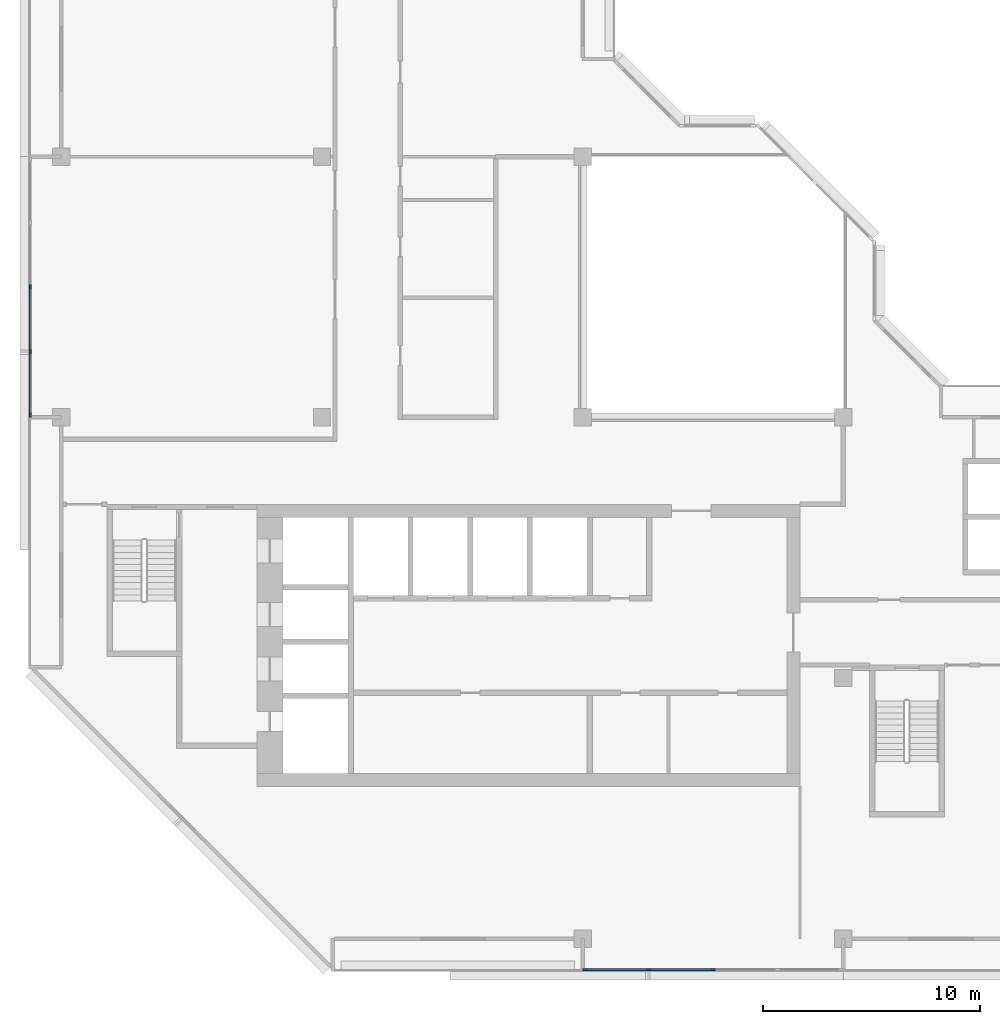
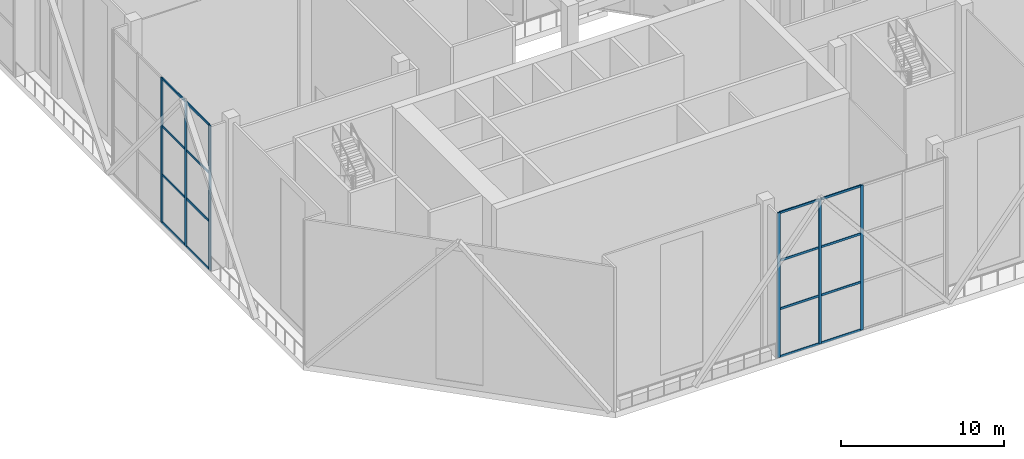
# One storey, part 2 of 16: 22 members, 2 elements without a shape of their own.
"""IFC4 building model written with IfcOpenShell, lengths in metres."""

from ifc_helpers import new_model, si_unit, direction, frame, origin, origin_2d, place, context, subcontext, project, spatial, rectangle, extrude, material, layer, layer_set, material_profile, profile_set, type_object, element, aggregate, save


model = new_model("IFC4")

# Units and contexts
model_context = context("Model", 3, precision=1e-05, world=origin(), true_north=direction((0.0, 1.0)))
body_context = subcontext(model_context, "Body", "Model", "MODEL_VIEW")
ifc_project = project(units=[si_unit("LENGTHUNIT", "METRE"), si_unit("AREAUNIT", "SQUARE_METRE"), si_unit("VOLUMEUNIT", "CUBIC_METRE"), si_unit("PLANEANGLEUNIT", "RADIAN"), si_unit("MASSUNIT", "GRAM", prefix="KILO")], contexts=[model_context])

# Site, building, storey
site_placement = place(None, origin())
site = spatial("IfcSite", under=ifc_project, at=site_placement, CompositionType="ELEMENT")
building_placement = place(site_placement, origin())
building = spatial("IfcBuilding", under=site, at=building_placement, Name="Chenar Terraces", CompositionType="ELEMENT")
storey_placement = place(building_placement, frame((0.0, 0.0, 327.64990234375)))
storey = spatial("IfcBuildingStorey", under=building, at=storey_placement, Name="L77", CompositionType="ELEMENT", Elevation=327.64990234375)

# Curtain wall, members
ifc_material_1 = material(Name="Aluminium framed glazing", Category="aluminium")
ifc_layer = layer(ifc_material_1, 0.14990234375)
ifc_layer_set = layer_set([ifc_layer], Name="Aluminium framed glazing")
curtain_wall_type = type_object("IfcCurtainWallType", Name="Sky garden curtain wall", PredefinedType="NOTDEFINED", material=ifc_layer_set)
placement = place(storey_placement, origin())
curtain_wall_1 = element("IfcCurtainWall", 1, at=placement, inside=storey, type_object=curtain_wall_type, Name="Sky garden curtain wall", PredefinedType="NOTDEFINED")
ifc_material_2 = material(Name="Aluminium", Category="aluminium")
ifc_material_profile_1 = material_profile(ifc_material_2, rectangle(XDim=0.080078125, YDim=0.199951171875, at=origin_2d()), Name="Sky garden mullion 80 x 200")
ifc_profile_set_1 = profile_set([ifc_material_profile_1], Name="Aluminium")
member_type_1 = type_object("IfcMemberType", Name="Sky garden mullion 80 x 200", PredefinedType="MULLION", material=ifc_profile_set_1)
member_1_placement = place(storey_placement, frame((-1.425048828125, 30.0, 0.0), z_axis=(0.0, 0.0, 1.0), x_axis=(1.0, 0.0, 0.0)))
member_1 = element("IfcMember", 2, at=member_1_placement, type_object=member_type_1, Name="CW3-05 mullion 3", PredefinedType="MULLION", context=body_context, shape_type="SweptSolid", body=[
    extrude(rectangle(XDim=0.080078125, YDim=0.199951171875, at=origin_2d()), origin(), (0.0, 0.0, 1.0), 10.85009765625),
])
member_2_placement = place(storey_placement, frame((-1.425048828125, 27.03759765625, 0.0), z_axis=(0.0, 0.0, 1.0), x_axis=(1.0, 0.0, 0.0)))
member_2 = element("IfcMember", 3, at=member_2_placement, type_object=member_type_1, Name="CW3-05 mullion 4", PredefinedType="MULLION", context=body_context, shape_type="SweptSolid", body=[
    extrude(rectangle(XDim=0.080078125, YDim=0.199951171875, at=origin_2d()), origin(), (0.0, 0.0, 1.0), 10.85009765625),
])
member_3_placement = place(storey_placement, frame((-1.425048828125, 24.114990234375, 0.0), z_axis=(0.0, 0.0, 1.0), x_axis=(1.0, 0.0, 0.0)))
member_3 = element("IfcMember", 4, at=member_3_placement, type_object=member_type_1, Name="CW3-05 mullion 5", PredefinedType="MULLION", context=body_context, shape_type="SweptSolid", body=[
    extrude(rectangle(XDim=0.080078125, YDim=0.199951171875, at=origin_2d()), origin(), (0.0, 0.0, 1.0), 10.85009765625),
])

curtain_wall_2 = element("IfcCurtainWall", 5, at=placement, inside=storey, type_object=curtain_wall_type, Name="Sky garden curtain wall", PredefinedType="NOTDEFINED")
member_4_placement = place(storey_placement, frame((24.114990234375, -1.425048828125, 0.0), z_axis=(0.0, 0.0, 1.0), x_axis=(0.0, 1.0, 0.0)))
member_4 = element("IfcMember", 6, at=member_4_placement, type_object=member_type_1, Name="CW3-06 mullion 1", PredefinedType="MULLION", context=body_context, shape_type="SweptSolid", body=[
    extrude(rectangle(XDim=0.080078125, YDim=0.199951171875, at=origin_2d()), origin(), (0.0, 0.0, 1.0), 10.85009765625),
])
member_5_placement = place(storey_placement, frame((27.03759765625, -1.425048828125, 0.0), z_axis=(0.0, 0.0, 1.0), x_axis=(0.0, 1.0, 0.0)))
member_5 = element("IfcMember", 7, at=member_5_placement, type_object=member_type_1, Name="CW3-06 mullion 2", PredefinedType="MULLION", context=body_context, shape_type="SweptSolid", body=[
    extrude(rectangle(XDim=0.080078125, YDim=0.199951171875, at=origin_2d()), origin(), (0.0, 0.0, 1.0), 10.85009765625),
])
member_6_placement = place(storey_placement, frame((30.0, -1.425048828125, 0.0), z_axis=(0.0, 0.0, 1.0), x_axis=(0.0, 1.0, 0.0)))
member_6 = element("IfcMember", 8, at=member_6_placement, type_object=member_type_1, Name="CW3-06 mullion 3", PredefinedType="MULLION", context=body_context, shape_type="SweptSolid", body=[
    extrude(rectangle(XDim=0.080078125, YDim=0.199951171875, at=origin_2d()), origin(), (0.0, 0.0, 1.0), 10.85009765625),
])

# Member
ifc_material_3 = material(Name="Aluminium", Category="aluminium")
ifc_material_profile_2 = material_profile(ifc_material_3, rectangle(XDim=0.080078125, YDim=0.159912109375, at=origin_2d()), Name="Sky garden transom 80 x 160")
ifc_profile_set_2 = profile_set([ifc_material_profile_2], Name="Aluminium")
member_type_2 = type_object("IfcMemberType", Name="Sky garden transom 80 x 160", PredefinedType="USERDEFINED", material=ifc_profile_set_2)
member_7_placement = place(storey_placement, frame((-1.425048828125, 29.9599609375, 0.0400390625), z_axis=(0.0, -1.0, 0.0), x_axis=(1.0, 0.0, 0.0)))
member_7 = element("IfcMember", 9, at=member_7_placement, type_object=member_type_2, Name="CW3-05 transom 3.1", ObjectType="TRANSOM", PredefinedType="USERDEFINED", context=body_context, shape_type="SweptSolid", body=[
    extrude(rectangle(XDim=0.080078125, YDim=0.159912109375, at=origin_2d()), origin(), (0.0, 0.0, 1.0), 2.882568359375),
])

member_8_placement = place(storey_placement, frame((-1.425048828125, 29.9599609375, 3.6171875), z_axis=(0.0, -1.0, 0.0), x_axis=(1.0, 0.0, 0.0)))
member_8 = element("IfcMember", 10, at=member_8_placement, type_object=member_type_2, Name="CW3-05 transom 3.2", ObjectType="TRANSOM", PredefinedType="USERDEFINED", context=body_context, shape_type="SweptSolid", body=[
    extrude(rectangle(XDim=0.080078125, YDim=0.159912109375, at=origin_2d()), origin(), (0.0, 0.0, 1.0), 2.882568359375),
])

member_9_placement = place(storey_placement, frame((-1.425048828125, 29.9599609375, 7.233154296875), z_axis=(0.0, -1.0, 0.0), x_axis=(1.0, 0.0, 0.0)))
member_9 = element("IfcMember", 11, at=member_9_placement, type_object=member_type_2, Name="CW3-05 transom 3.3", ObjectType="TRANSOM", PredefinedType="USERDEFINED", context=body_context, shape_type="SweptSolid", body=[
    extrude(rectangle(XDim=0.080078125, YDim=0.159912109375, at=origin_2d()), origin(), (0.0, 0.0, 1.0), 2.882568359375),
])

member_10_placement = place(storey_placement, frame((-1.425048828125, 29.9599609375, 10.81005859375), z_axis=(0.0, -1.0, 0.0), x_axis=(1.0, 0.0, 0.0)))
member_10 = element("IfcMember", 12, at=member_10_placement, type_object=member_type_2, Name="CW3-05 transom 3.4", ObjectType="TRANSOM", PredefinedType="USERDEFINED", context=body_context, shape_type="SweptSolid", body=[
    extrude(rectangle(XDim=0.080078125, YDim=0.159912109375, at=origin_2d()), origin(), (0.0, 0.0, 1.0), 2.882568359375),
])

member_11_placement = place(storey_placement, frame((-1.425048828125, 26.99755859375, 0.0400390625), z_axis=(0.0, -1.0, 0.0), x_axis=(1.0, 0.0, 0.0)))
member_11 = element("IfcMember", 13, at=member_11_placement, type_object=member_type_2, Name="CW3-05 transom 4.1", ObjectType="TRANSOM", PredefinedType="USERDEFINED", context=body_context, shape_type="SweptSolid", body=[
    extrude(rectangle(XDim=0.080078125, YDim=0.159912109375, at=origin_2d()), origin(), (0.0, 0.0, 1.0), 2.842529296875),
])

member_12_placement = place(storey_placement, frame((-1.425048828125, 26.99755859375, 3.6171875), z_axis=(0.0, -1.0, 0.0), x_axis=(1.0, 0.0, 0.0)))
member_12 = element("IfcMember", 14, at=member_12_placement, type_object=member_type_2, Name="CW3-05 transom 4.2", ObjectType="TRANSOM", PredefinedType="USERDEFINED", context=body_context, shape_type="SweptSolid", body=[
    extrude(rectangle(XDim=0.080078125, YDim=0.159912109375, at=origin_2d()), origin(), (0.0, 0.0, 1.0), 2.842529296875),
])

member_13_placement = place(storey_placement, frame((-1.425048828125, 26.99755859375, 7.233154296875), z_axis=(0.0, -1.0, 0.0), x_axis=(1.0, 0.0, 0.0)))
member_13 = element("IfcMember", 15, at=member_13_placement, type_object=member_type_2, Name="CW3-05 transom 4.3", ObjectType="TRANSOM", PredefinedType="USERDEFINED", context=body_context, shape_type="SweptSolid", body=[
    extrude(rectangle(XDim=0.080078125, YDim=0.159912109375, at=origin_2d()), origin(), (0.0, 0.0, 1.0), 2.842529296875),
])

member_14_placement = place(storey_placement, frame((-1.425048828125, 26.99755859375, 10.81005859375), z_axis=(0.0, -1.0, 0.0), x_axis=(1.0, 0.0, 0.0)))
member_14 = element("IfcMember", 16, at=member_14_placement, type_object=member_type_2, Name="CW3-05 transom 4.4", ObjectType="TRANSOM", PredefinedType="USERDEFINED", context=body_context, shape_type="SweptSolid", body=[
    extrude(rectangle(XDim=0.080078125, YDim=0.159912109375, at=origin_2d()), origin(), (0.0, 0.0, 1.0), 2.842529296875),
])

aggregate(curtain_wall_1, [member_1, member_2, member_3, member_7, member_8, member_9, member_10, member_11, member_12, member_13, member_14])

member_15_placement = place(storey_placement, frame((24.155029296875, -1.425048828125, 0.0400390625), z_axis=(1.0, 0.0, 0.0), x_axis=(0.0, 1.0, 0.0)))
member_15 = element("IfcMember", 17, at=member_15_placement, type_object=member_type_2, Name="CW3-06 transom 1.1", ObjectType="TRANSOM", PredefinedType="USERDEFINED", context=body_context, shape_type="SweptSolid", body=[
    extrude(rectangle(XDim=0.080078125, YDim=0.159912109375, at=origin_2d()), origin(), (0.0, 0.0, 1.0), 2.842529296875),
])

member_16_placement = place(storey_placement, frame((24.155029296875, -1.425048828125, 3.6171875), z_axis=(1.0, 0.0, 0.0), x_axis=(0.0, 1.0, 0.0)))
member_16 = element("IfcMember", 18, at=member_16_placement, type_object=member_type_2, Name="CW3-06 transom 1.2", ObjectType="TRANSOM", PredefinedType="USERDEFINED", context=body_context, shape_type="SweptSolid", body=[
    extrude(rectangle(XDim=0.080078125, YDim=0.159912109375, at=origin_2d()), origin(), (0.0, 0.0, 1.0), 2.842529296875),
])

member_17_placement = place(storey_placement, frame((24.155029296875, -1.425048828125, 7.233154296875), z_axis=(1.0, 0.0, 0.0), x_axis=(0.0, 1.0, 0.0)))
member_17 = element("IfcMember", 19, at=member_17_placement, type_object=member_type_2, Name="CW3-06 transom 1.3", ObjectType="TRANSOM", PredefinedType="USERDEFINED", context=body_context, shape_type="SweptSolid", body=[
    extrude(rectangle(XDim=0.080078125, YDim=0.159912109375, at=origin_2d()), origin(), (0.0, 0.0, 1.0), 2.842529296875),
])

member_18_placement = place(storey_placement, frame((24.155029296875, -1.425048828125, 10.81005859375), z_axis=(1.0, 0.0, 0.0), x_axis=(0.0, 1.0, 0.0)))
member_18 = element("IfcMember", 20, at=member_18_placement, type_object=member_type_2, Name="CW3-06 transom 1.4", ObjectType="TRANSOM", PredefinedType="USERDEFINED", context=body_context, shape_type="SweptSolid", body=[
    extrude(rectangle(XDim=0.080078125, YDim=0.159912109375, at=origin_2d()), origin(), (0.0, 0.0, 1.0), 2.842529296875),
])

member_19_placement = place(storey_placement, frame((27.077392578125, -1.425048828125, 0.0400390625), z_axis=(1.0, 0.0, 0.0), x_axis=(0.0, 1.0, 0.0)))
member_19 = element("IfcMember", 21, at=member_19_placement, type_object=member_type_2, Name="CW3-06 transom 2.1", ObjectType="TRANSOM", PredefinedType="USERDEFINED", context=body_context, shape_type="SweptSolid", body=[
    extrude(rectangle(XDim=0.080078125, YDim=0.159912109375, at=origin_2d()), origin(), (0.0, 0.0, 1.0), 2.882568359375),
])

member_20_placement = place(storey_placement, frame((27.077392578125, -1.425048828125, 3.6171875), z_axis=(1.0, 0.0, 0.0), x_axis=(0.0, 1.0, 0.0)))
member_20 = element("IfcMember", 22, at=member_20_placement, type_object=member_type_2, Name="CW3-06 transom 2.2", ObjectType="TRANSOM", PredefinedType="USERDEFINED", context=body_context, shape_type="SweptSolid", body=[
    extrude(rectangle(XDim=0.080078125, YDim=0.159912109375, at=origin_2d()), origin(), (0.0, 0.0, 1.0), 2.882568359375),
])

member_21_placement = place(storey_placement, frame((27.077392578125, -1.425048828125, 7.233154296875), z_axis=(1.0, 0.0, 0.0), x_axis=(0.0, 1.0, 0.0)))
member_21 = element("IfcMember", 23, at=member_21_placement, type_object=member_type_2, Name="CW3-06 transom 2.3", ObjectType="TRANSOM", PredefinedType="USERDEFINED", context=body_context, shape_type="SweptSolid", body=[
    extrude(rectangle(XDim=0.080078125, YDim=0.159912109375, at=origin_2d()), origin(), (0.0, 0.0, 1.0), 2.882568359375),
])

member_22_placement = place(storey_placement, frame((27.077392578125, -1.425048828125, 10.81005859375), z_axis=(1.0, 0.0, 0.0), x_axis=(0.0, 1.0, 0.0)))
member_22 = element("IfcMember", 24, at=member_22_placement, type_object=member_type_2, Name="CW3-06 transom 2.4", ObjectType="TRANSOM", PredefinedType="USERDEFINED", context=body_context, shape_type="SweptSolid", body=[
    extrude(rectangle(XDim=0.080078125, YDim=0.159912109375, at=origin_2d()), origin(), (0.0, 0.0, 1.0), 2.882568359375),
])

aggregate(curtain_wall_2, [member_4, member_5, member_6, member_15, member_16, member_17, member_18, member_19, member_20, member_21, member_22])

save(model, "model.ifc")
